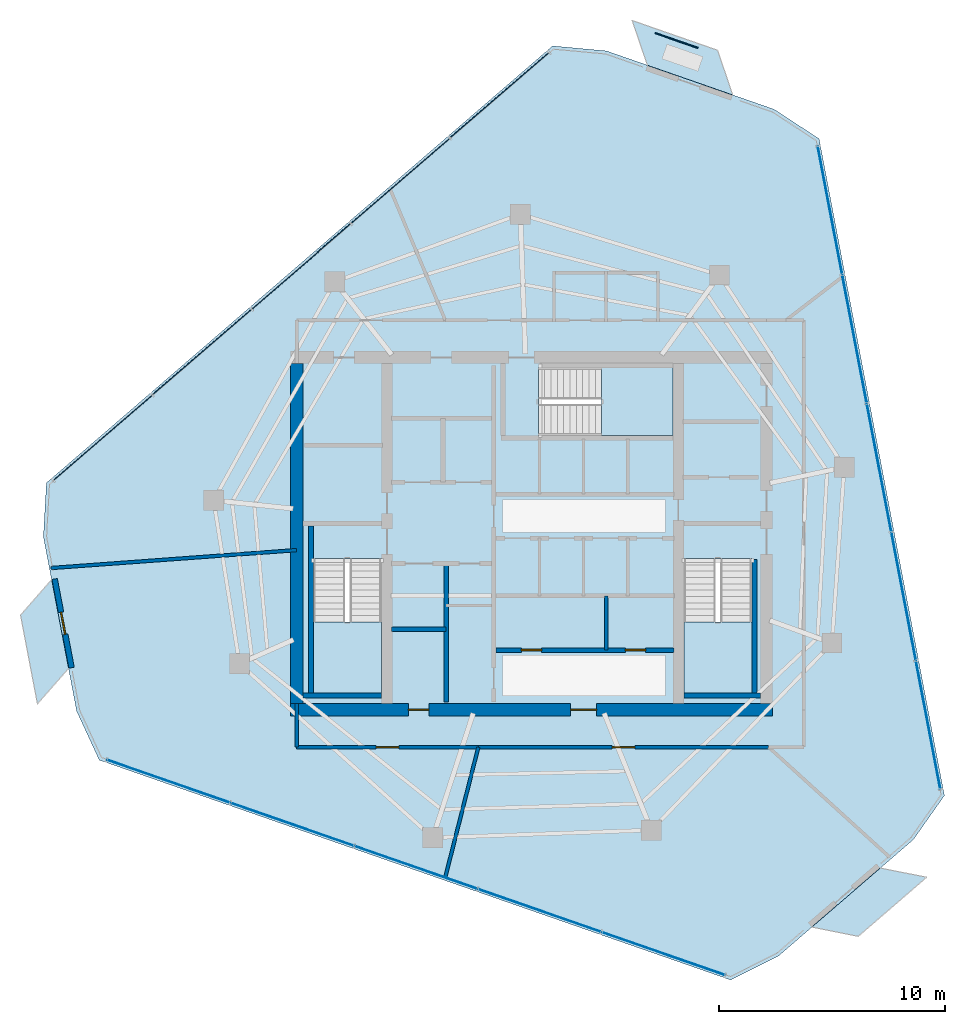
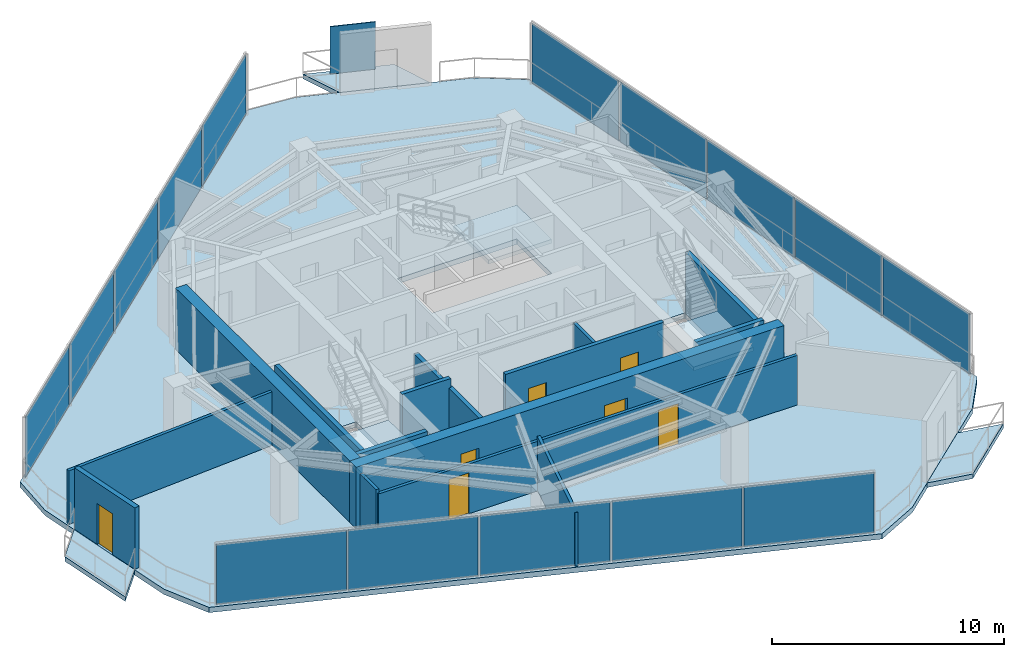
# One storey, part 14 of 18: 16 plates, 16 walls, 7 doors, 7 slabs, 7 openings, 6 elements without a shape of their own.
"""IFC4 building model written with IfcOpenShell, lengths in metres."""

from ifc_helpers import new_model, si_unit, direction, frame, frame_2d, origin, origin_2d, place, context, subcontext, project, spatial, polyline, rectangle, outline, extrude, material, layer, layer_set, type_object, element, fill, aggregate, save


model = new_model("IFC4")

# Units and contexts
model_context = context("Model", 3, precision=1e-05, world=origin(), true_north=direction((0.0, 1.0)))
body_context = subcontext(model_context, "Body", "Model", "MODEL_VIEW")
ifc_project = project(units=[si_unit("LENGTHUNIT", "METRE"), si_unit("AREAUNIT", "SQUARE_METRE"), si_unit("VOLUMEUNIT", "CUBIC_METRE"), si_unit("PLANEANGLEUNIT", "RADIAN"), si_unit("MASSUNIT", "GRAM", prefix="KILO")], contexts=[model_context])

# Site, building, storey
site_placement = place(None, origin())
site = spatial("IfcSite", under=ifc_project, at=site_placement, CompositionType="ELEMENT")
building_placement = place(site_placement, origin())
building = spatial("IfcBuilding", under=site, at=building_placement, Name="Qarnah Convention Tower", CompositionType="ELEMENT")
storey_placement = place(building_placement, frame((0.0, 0.0, 220.199951171875)))
storey = spatial("IfcBuildingStorey", under=building, at=storey_placement, Name="L59", CompositionType="ELEMENT", Elevation=220.199951171875)

# Curtain wall, plates
ifc_material_1 = material(Name="Tempered Low-E dark glass", Category="glass")
ifc_layer_1 = layer(ifc_material_1, 0.174072265625)
ifc_layer_set_1 = layer_set([ifc_layer_1], Name="Tempered Low-E dark glass")
curtain_wall_type = type_object("IfcCurtainWallType", Name="CWS-04", PredefinedType="NOTDEFINED", material=ifc_layer_set_1)
curtain_wall_1_placement = place(storey_placement, origin())
curtain_wall_1 = element("IfcCurtainWall", 1, at=curtain_wall_1_placement, inside=storey, type_object=curtain_wall_type, Name="L59 unitised curtain wall CW-L59-F1", PredefinedType="NOTDEFINED")
ifc_layer_2 = layer(ifc_material_1, 0.033935546875)
ifc_layer_set_2 = layer_set([ifc_layer_2], Name="Tempered Low-E dark glass")
plate_type_1 = type_object("IfcPlateType", Name="PNL-T4", PredefinedType="CURTAIN_PANEL", material=ifc_layer_set_2)
plate_1_placement = place(storey_placement, frame((18.227783203125, 30.648681640625, 0.0400390625), z_axis=(0.0, 0.0, 1.0), x_axis=(0.756975759177, 0.653442958504, 0.0)))
plate_1 = element("IfcPlate", 2, at=plate_1_placement, type_object=plate_type_1, Name="CW-L59-F1 curtain panel 1.1", PredefinedType="CURTAIN_PANEL", context=body_context, shape_type="SweptSolid", body=[
    extrude(rectangle(XDim=5.71923828125, YDim=0.033935546875, at=origin_2d()), origin(), (0.0, 0.0, 1.0), 3.159912109375),
])
plate_2_placement = place(storey_placement, frame((22.61767578125, 34.43798828125, 0.0400390625), z_axis=(0.0, 0.0, 1.0), x_axis=(0.756975759177, 0.653442958504, 0.0)))
plate_2 = element("IfcPlate", 3, at=plate_2_placement, type_object=plate_type_1, Name="CW-L59-F1 curtain panel 2.1", PredefinedType="CURTAIN_PANEL", context=body_context, shape_type="SweptSolid", body=[
    extrude(rectangle(XDim=5.71923828125, YDim=0.033935546875, at=origin_2d()), origin(), (0.0, 0.0, 1.0), 3.159912109375),
])
plate_3_placement = place(storey_placement, frame((27.007568359375, 38.2275390625, 0.0400390625), z_axis=(0.0, 0.0, 1.0), x_axis=(0.756975759177, 0.653442958504, 0.0)))
plate_3 = element("IfcPlate", 4, at=plate_3_placement, type_object=plate_type_1, Name="CW-L59-F1 curtain panel 3.1", PredefinedType="CURTAIN_PANEL", context=body_context, shape_type="SweptSolid", body=[
    extrude(rectangle(XDim=5.71923828125, YDim=0.033935546875, at=origin_2d()), origin(), (0.0, 0.0, 1.0), 3.159912109375),
])
plate_4_placement = place(storey_placement, frame((31.397216796875, 42.016845703125, 0.0400390625), z_axis=(0.0, 0.0, 1.0), x_axis=(0.756975759177, 0.653442958504, 0.0)))
plate_4 = element("IfcPlate", 5, at=plate_4_placement, type_object=plate_type_1, Name="CW-L59-F1 curtain panel 4.1", PredefinedType="CURTAIN_PANEL", context=body_context, shape_type="SweptSolid", body=[
    extrude(rectangle(XDim=5.71923828125, YDim=0.033935546875, at=origin_2d()), origin(), (0.0, 0.0, 1.0), 3.159912109375),
])
plate_5_placement = place(storey_placement, frame((35.787109375, 45.806396484375, 0.0400390625), z_axis=(0.0, 0.0, 1.0), x_axis=(0.756975759177, 0.653442958504, 0.0)))
plate_5 = element("IfcPlate", 6, at=plate_5_placement, type_object=plate_type_1, Name="CW-L59-F1 curtain panel 5.1", PredefinedType="CURTAIN_PANEL", context=body_context, shape_type="SweptSolid", body=[
    extrude(rectangle(XDim=5.71923828125, YDim=0.033935546875, at=origin_2d()), origin(), (0.0, 0.0, 1.0), 3.159912109375),
])
aggregate(curtain_wall_1, [plate_1, plate_2, plate_3, plate_4, plate_5])

curtain_wall_2_placement = place(storey_placement, origin())
curtain_wall_2 = element("IfcCurtainWall", 7, at=curtain_wall_2_placement, inside=storey, type_object=curtain_wall_type, Name="L59 unitised curtain wall CW-L59-F2", PredefinedType="NOTDEFINED")
plate_6_placement = place(storey_placement, frame((43.03466796875, 7.810546875, 0.0400390625), z_axis=(0.0, 0.0, 1.0), x_axis=(-0.944373902094, 0.328873734194, 0.0)))
plate_6 = element("IfcPlate", 8, at=plate_6_placement, type_object=plate_type_1, Name="CW-L59-F2 curtain panel 1.1", PredefinedType="CURTAIN_PANEL", context=body_context, shape_type="SweptSolid", body=[
    extrude(rectangle(XDim=5.71923828125, YDim=0.033935546875, at=origin_2d()), origin(), (0.0, 0.0, 1.0), 3.159912109375),
])
plate_7_placement = place(storey_placement, frame((37.55810546875, 9.7177734375, 0.0400390625), z_axis=(0.0, 0.0, 1.0), x_axis=(-0.944373902094, 0.328873734194, 0.0)))
plate_7 = element("IfcPlate", 9, at=plate_7_placement, type_object=plate_type_1, Name="CW-L59-F2 curtain panel 2.1", PredefinedType="CURTAIN_PANEL", context=body_context, shape_type="SweptSolid", body=[
    extrude(rectangle(XDim=5.71923828125, YDim=0.033935546875, at=origin_2d()), origin(), (0.0, 0.0, 1.0), 3.159912109375),
])
plate_8_placement = place(storey_placement, frame((32.08154296875, 11.625, 0.0400390625), z_axis=(0.0, 0.0, 1.0), x_axis=(-0.944373902094, 0.328873734194, 0.0)))
plate_8 = element("IfcPlate", 10, at=plate_8_placement, type_object=plate_type_1, Name="CW-L59-F2 curtain panel 3.1", PredefinedType="CURTAIN_PANEL", context=body_context, shape_type="SweptSolid", body=[
    extrude(rectangle(XDim=5.71923828125, YDim=0.033935546875, at=origin_2d()), origin(), (0.0, 0.0, 1.0), 3.159912109375),
])
plate_9_placement = place(storey_placement, frame((26.60498046875, 13.5322265625, 0.0400390625), z_axis=(0.0, 0.0, 1.0), x_axis=(-0.944373902094, 0.328873734194, 0.0)))
plate_9 = element("IfcPlate", 11, at=plate_9_placement, type_object=plate_type_1, Name="CW-L59-F2 curtain panel 4.1", PredefinedType="CURTAIN_PANEL", context=body_context, shape_type="SweptSolid", body=[
    extrude(rectangle(XDim=5.71923828125, YDim=0.033935546875, at=origin_2d()), origin(), (0.0, 0.0, 1.0), 3.159912109375),
])
plate_10_placement = place(storey_placement, frame((21.12841796875, 15.439453125, 0.0400390625), z_axis=(0.0, 0.0, 1.0), x_axis=(-0.944373902094, 0.328873734194, 0.0)))
plate_10 = element("IfcPlate", 12, at=plate_10_placement, type_object=plate_type_1, Name="CW-L59-F2 curtain panel 5.1", PredefinedType="CURTAIN_PANEL", context=body_context, shape_type="SweptSolid", body=[
    extrude(rectangle(XDim=5.71923828125, YDim=0.033935546875, at=origin_2d()), origin(), (0.0, 0.0, 1.0), 3.159912109375),
])
aggregate(curtain_wall_2, [plate_6, plate_7, plate_8, plate_9, plate_10])

curtain_wall_3_placement = place(storey_placement, origin())
curtain_wall_3 = element("IfcCurtainWall", 13, at=curtain_wall_3_placement, inside=storey, type_object=curtain_wall_type, Name="L59 unitised curtain wall CW-L59-F3", PredefinedType="NOTDEFINED")
plate_11_placement = place(storey_placement, frame((50.409423828125, 40.7138671875, 0.0400390625), z_axis=(0.0, 0.0, 1.0), x_axis=(0.187406876445, -0.982282374199, 0.0)))
plate_11 = element("IfcPlate", 14, at=plate_11_placement, type_object=plate_type_1, Name="CW-L59-F3 curtain panel 1.1", PredefinedType="CURTAIN_PANEL", context=body_context, shape_type="SweptSolid", body=[
    extrude(rectangle(XDim=5.71923828125, YDim=0.033935546875, at=origin_2d()), origin(), (0.0, 0.0, 1.0), 3.159912109375),
])
plate_12_placement = place(storey_placement, frame((51.49609375, 35.017333984375, 0.0400390625), z_axis=(0.0, 0.0, 1.0), x_axis=(0.187406876445, -0.982282374199, 0.0)))
plate_12 = element("IfcPlate", 15, at=plate_12_placement, type_object=plate_type_1, Name="CW-L59-F3 curtain panel 2.1", PredefinedType="CURTAIN_PANEL", context=body_context, shape_type="SweptSolid", body=[
    extrude(rectangle(XDim=5.71923828125, YDim=0.033935546875, at=origin_2d()), origin(), (0.0, 0.0, 1.0), 3.159912109375),
])
plate_13_placement = place(storey_placement, frame((52.5830078125, 29.321044921875, 0.0400390625), z_axis=(0.0, 0.0, 1.0), x_axis=(0.187406876445, -0.982282374199, 0.0)))
plate_13 = element("IfcPlate", 16, at=plate_13_placement, type_object=plate_type_1, Name="CW-L59-F3 curtain panel 3.1", PredefinedType="CURTAIN_PANEL", context=body_context, shape_type="SweptSolid", body=[
    extrude(rectangle(XDim=5.71923828125, YDim=0.033935546875, at=origin_2d()), origin(), (0.0, 0.0, 1.0), 3.159912109375),
])
plate_14_placement = place(storey_placement, frame((53.669921875, 23.62451171875, 0.0400390625), z_axis=(0.0, 0.0, 1.0), x_axis=(0.187406876445, -0.982282374199, 0.0)))
plate_14 = element("IfcPlate", 17, at=plate_14_placement, type_object=plate_type_1, Name="CW-L59-F3 curtain panel 4.1", PredefinedType="CURTAIN_PANEL", context=body_context, shape_type="SweptSolid", body=[
    extrude(rectangle(XDim=5.71923828125, YDim=0.033935546875, at=origin_2d()), origin(), (0.0, 0.0, 1.0), 3.159912109375),
])
plate_15_placement = place(storey_placement, frame((54.756591796875, 17.92822265625, 0.0400390625), z_axis=(0.0, 0.0, 1.0), x_axis=(0.187406876445, -0.982282374199, 0.0)))
plate_15 = element("IfcPlate", 18, at=plate_15_placement, type_object=plate_type_1, Name="CW-L59-F3 curtain panel 5.1", PredefinedType="CURTAIN_PANEL", context=body_context, shape_type="SweptSolid", body=[
    extrude(rectangle(XDim=5.71923828125, YDim=0.033935546875, at=origin_2d()), origin(), (0.0, 0.0, 1.0), 3.159912109375),
])
aggregate(curtain_wall_3, [plate_11, plate_12, plate_13, plate_14, plate_15])

# Plate
ifc_material_2 = material(Name="Black anodised aluminium", Category="aluminium")
ifc_layer_3 = layer(ifc_material_2, 0.044921875)
ifc_layer_set_3 = layer_set([ifc_layer_3], Name="Black anodised aluminium")
plate_type_2 = type_object("IfcPlateType", Name="SCR-BAL-18", PredefinedType="USERDEFINED", material=ifc_layer_set_3)
plate_16_placement = place(storey_placement, frame((43.6201171875, 48.22900390625, 0.0), z_axis=(0.0, 0.0, 1.0), x_axis=(0.944348241736, -0.328947409673, 0.0)))
element("IfcPlate", 19, at=plate_16_placement, inside=storey, type_object=plate_type_2, Name="L59 perforated desert solar screen BAL-L59-C1", ObjectType="SCREEN", PredefinedType="USERDEFINED", context=body_context, shape_type="SweptSolid", body=[
    extrude(rectangle(XDim=2.0, YDim=0.044921875, at=origin_2d()), origin(), (0.0, 0.0, 1.0), 2.5),
])

# Slabs
ifc_material_3 = material(Name="Concrete C45/55", Category="concrete")
ifc_layer_4 = layer(ifc_material_3, 0.239990234375)
ifc_layer_set_4 = layer_set([ifc_layer_4], Name="Concrete C45/55")
slab_type_1 = type_object("IfcSlabType", Name="SLB-BAL-240", PredefinedType="USERDEFINED", material=ifc_layer_set_4)
slab_1_placement = place(storey_placement, frame((0.0, 0.0, -0.239990234375)))
element("IfcSlab", 20, at=slab_1_placement, inside=storey, type_object=slab_type_1, Name="L59 cantilevered balcony slab BAL-L59-C1", ObjectType="BALCONY", PredefinedType="USERDEFINED", context=body_context, shape_type="SweptSolid", body=[
    extrude(outline(polyline([(41.654052734375, 49.114013671875), (45.431884765625, 47.798095703125), (46.10595703125, 45.81689453125), (42.3291015625, 47.132080078125), (41.654052734375, 49.114013671875)])), origin(), (0.0, 0.0, 1.0), 0.239990234375),
])
slab_2_placement = place(storey_placement, frame((0.0, 0.0, -0.239990234375)))
element("IfcSlab", 21, at=slab_2_placement, inside=storey, type_object=slab_type_1, Name="L59 cantilevered balcony slab BAL-L59-C2", ObjectType="BALCONY", PredefinedType="USERDEFINED", context=body_context, shape_type="SweptSolid", body=[
    extrude(outline(polyline([(15.330078125, 18.865966796875), (14.5810546875, 22.794921875), (15.958984375, 24.3701171875), (16.7080078125, 20.43994140625), (15.330078125, 18.865966796875)])), origin(), (0.0, 0.0, 1.0), 0.239990234375),
])
slab_3_placement = place(storey_placement, frame((0.0, 0.0, -0.239990234375)))
element("IfcSlab", 22, at=slab_3_placement, inside=storey, type_object=slab_type_1, Name="L59 cantilevered balcony slab BAL-L59-C3", ObjectType="BALCONY", PredefinedType="USERDEFINED", context=body_context, shape_type="SweptSolid", body=[
    extrude(outline(polyline([(54.68798828125, 11.193115234375), (51.659912109375, 8.5791015625), (49.60595703125, 8.986083984375), (52.635009765625, 11.60009765625), (54.68798828125, 11.193115234375)])), origin(), (0.0, 0.0, 1.0), 0.239990234375),
])

# Stair, slab
ifc_material_4 = material(Name="Concrete C50/60", Category="concrete")
stair_type = type_object("IfcStairType", Name="STR-OFF", PredefinedType="HALF_TURN_STAIR", material=ifc_material_4)
stair_1_placement = place(storey_placement, origin())
stair_1 = element("IfcStair", 23, at=stair_1_placement, inside=storey, type_object=stair_type, Name="L59 Core exit stair ST-1", PredefinedType="HALF_TURN_STAIR")
ifc_layer_5 = layer(ifc_material_4, 0.199951171875)
ifc_layer_set_5 = layer_set([ifc_layer_5], Name="Concrete C50/60")
slab_type_2 = type_object("IfcSlabType", Name="SLB-LANDING-200", PredefinedType="LANDING", material=ifc_layer_set_5)
slab_4_placement = place(storey_placement, frame((0.0, 0.0, 1.60009765625)))
slab_4 = element("IfcSlab", 24, at=slab_4_placement, type_object=slab_type_2, Name="ST-1 landing 1", PredefinedType="LANDING", context=body_context, shape_type="SweptSolid", body=[
    extrude(outline(polyline([(27.550048828125, 22.5), (27.550048828125, 19.35009765625), (30.550048828125, 19.35009765625), (30.550048828125, 22.5), (27.550048828125, 22.5)])), origin(), (0.0, 0.0, 1.0), 0.199951171875),
])
aggregate(stair_1, [slab_4])

stair_2_placement = place(storey_placement, origin())
stair_2 = element("IfcStair", 25, at=stair_2_placement, inside=storey, type_object=stair_type, Name="L59 Core exit stair ST-2", PredefinedType="HALF_TURN_STAIR")
slab_5_placement = place(storey_placement, frame((0.0, 0.0, 1.60009765625)))
slab_5 = element("IfcSlab", 26, at=slab_5_placement, type_object=slab_type_2, Name="ST-2 landing 1", PredefinedType="LANDING", context=body_context, shape_type="SweptSolid", body=[
    extrude(outline(polyline([(43.949951171875, 22.5), (43.949951171875, 19.35009765625), (46.949951171875, 19.35009765625), (46.949951171875, 22.5), (43.949951171875, 22.5)])), origin(), (0.0, 0.0, 1.0), 0.199951171875),
])
aggregate(stair_2, [slab_5])

stair_3_placement = place(storey_placement, origin())
stair_3 = element("IfcStair", 27, at=stair_3_placement, inside=storey, type_object=stair_type, Name="L59 Core exit stair ST-3", PredefinedType="HALF_TURN_STAIR")
slab_6_placement = place(storey_placement, frame((0.0, 0.0, 1.60009765625)))
slab_6 = element("IfcSlab", 28, at=slab_6_placement, type_object=slab_type_2, Name="ST-3 landing 1", PredefinedType="LANDING", context=body_context, shape_type="SweptSolid", body=[
    extrude(outline(polyline([(40.300048828125, 30.75), (43.449951171875, 30.75), (43.449951171875, 33.75), (40.300048828125, 33.75), (40.300048828125, 30.75)])), origin(), (0.0, 0.0, 1.0), 0.199951171875),
])
aggregate(stair_3, [slab_6])

# Slab
ifc_layer_6 = layer(ifc_material_3, 0.280029296875)
ifc_layer_set_6 = layer_set([ifc_layer_6], Name="Concrete C45/55")
slab_type_3 = type_object("IfcSlabType", Name="SLB-TWR-280", PredefinedType="FLOOR", material=ifc_layer_set_6)
slab_7_placement = place(storey_placement, frame((0.0, 0.0, -0.280029296875)))
element("IfcSlab", 29, at=slab_7_placement, inside=storey, type_object=slab_type_3, Name="L59 structural floor slab", PredefinedType="FLOOR", context=body_context, shape_type="SweptSolid", body=[
    extrude(outline(polyline([(38.131103515625, 47.988037109375), (15.72705078125, 28.64892578125), (15.593017578125, 26.26611328125), (17.06591796875, 18.5439453125), (18.06689453125, 16.3779296875), (46.01708984375, 6.64501953125), (48.14697265625, 7.720947265625), (54.097900390625, 12.85693359375), (55.47412109375, 14.80810546875), (49.927978515625, 43.87890625), (47.930908203125, 45.18603515625), (40.507080078125, 47.77099609375), (38.131103515625, 47.988037109375)]), holes=[polyline([(27.550048828125, 25.300048828125), (27.550048828125, 19.35009765625), (30.550048828125, 19.35009765625), (30.550048828125, 25.300048828125), (27.550048828125, 25.300048828125)]), polyline([(43.949951171875, 25.300048828125), (43.949951171875, 19.35009765625), (46.949951171875, 19.35009765625), (46.949951171875, 25.300048828125), (43.949951171875, 25.300048828125)]), polyline([(37.5, 30.75), (43.449951171875, 30.75), (43.449951171875, 33.75), (37.5, 33.75), (37.5, 30.75)])]), origin(), (0.0, 0.0, 1.0), 0.280029296875),
])

# Wall, openings, doors
ifc_material_5 = material(Name="Concrete C60/75", Category="concrete")
ifc_layer_7 = layer(ifc_material_5, 0.550048828125)
ifc_layer_set_7 = layer_set([ifc_layer_7], Name="Concrete C60/75")
wall_type_1 = type_object("IfcWallType", Name="WL-CORE-550", PredefinedType="SHEAR", material=ifc_layer_set_7)
wall_1_placement = place(storey_placement, frame((26.52490234375, 18.60009765625, 0.0), z_axis=(0.0, 0.0, 1.0), x_axis=(1.0, 0.0, 0.0)))
wall_1 = element("IfcWall", 30, at=wall_1_placement, inside=storey, type_object=wall_type_1, Name="L59 core south shear wall", PredefinedType="SHEAR", context=body_context, shape_type="SweptSolid", body=[
    extrude(rectangle(XDim=21.35009765625, YDim=0.550048828125, at=frame_2d((10.675048828125, 0.0))), origin(), (0.0, 0.0, 1.0), 3.239990234375),
])
opening_1_placement = place(wall_1_placement, frame((12.39990234375, 0.0, 0.0)))
opening_1 = element("IfcOpeningElement", 31, at=opening_1_placement, cuts=wall_1, Name="Opening D-5907", PredefinedType="OPENING", context=body_context, shape_type="SweptSolid", body=[
    extrude(rectangle(XDim=1.14990234375, YDim=2.14990234375, at=frame_2d((0.574951171875, 1.074951171875))), frame((0.0, 0.284912109375, 0.0), z_axis=(0.0, -1.0, 0.0), x_axis=(1.0, 0.0, 0.0)), (0.0, 0.0, 1.0), 0.570068359375),
])
opening_2_placement = place(wall_1_placement, frame((5.22509765625, 0.0, 0.0)))
opening_2 = element("IfcOpeningElement", 32, at=opening_2_placement, cuts=wall_1, Name="Opening D-5913", PredefinedType="OPENING", context=body_context, shape_type="SweptSolid", body=[
    extrude(rectangle(XDim=0.89990234375, YDim=2.10009765625, at=frame_2d((0.449951171875, 1.050048828125))), frame((0.0, 0.284912109375, 0.0), z_axis=(0.0, -1.0, 0.0), x_axis=(1.0, 0.0, 0.0)), (0.0, 0.0, 1.0), 0.570068359375),
])
ifc_material_6 = material(Name="Structural steel S355JR", Category="steel")
door_type_1 = type_object("IfcDoorType", Name="DT-LOBBY-1150", OperationType="NOTDEFINED", PredefinedType="DOOR", material=ifc_material_6)
door_1_placement = place(opening_1_placement, origin())
door_1 = element("IfcDoor", 33, at=door_1_placement, inside=storey, type_object=door_type_1, Name="Door D-5907", OperationType="SINGLE_SWING_LEFT", OverallHeight=2.14990234375, OverallWidth=1.14990234375, PredefinedType="DOOR", context=body_context, shape_type="SweptSolid", body=[
    extrude(rectangle(XDim=1.14990234375, YDim=2.14990234375, at=frame_2d((0.574951171875, 1.074951171875))), frame((0.0, 0.02490234375, 0.0), z_axis=(0.0, -1.0, 0.0), x_axis=(1.0, 0.0, 0.0)), (0.0, 0.0, 1.0), 0.050048828125),
])
fill(opening_1, door_1)
door_type_2 = type_object("IfcDoorType", Name="DT-RISER-900", OperationType="NOTDEFINED", PredefinedType="DOOR", material=ifc_material_6)
door_2_placement = place(opening_2_placement, origin())
door_2 = element("IfcDoor", 34, at=door_2_placement, inside=storey, type_object=door_type_2, Name="Door D-5913", OperationType="SINGLE_SWING_LEFT", OverallHeight=2.10009765625, OverallWidth=0.89990234375, PredefinedType="DOOR", context=body_context, shape_type="SweptSolid", body=[
    extrude(rectangle(XDim=0.89990234375, YDim=2.10009765625, at=frame_2d((0.449951171875, 1.050048828125))), frame((0.0, 0.02490234375, 0.0), z_axis=(0.0, -1.0, 0.0), x_axis=(1.0, 0.0, 0.0)), (0.0, 0.0, 1.0), 0.050048828125),
])
fill(opening_2, door_2)

# Walls
wall_2_placement = place(storey_placement, frame((26.800048828125, 18.875, 0.0), z_axis=(0.0, 0.0, 1.0), x_axis=(0.0, 1.0, 0.0)))
element("IfcWall", 35, at=wall_2_placement, inside=storey, type_object=wall_type_1, Name="L59 core west shear wall", PredefinedType="SHEAR", context=body_context, shape_type="SweptSolid", body=[
    extrude(rectangle(XDim=15.050048828125, YDim=0.550048828125, at=frame_2d((7.52490234375, 0.0))), origin(), (0.0, 0.0, 1.0), 3.239990234375),
])
ifc_layer_8 = layer(ifc_material_3, 0.199951171875)
ifc_layer_set_8 = layer_set([ifc_layer_8], Name="Concrete C45/55")
wall_type_2 = type_object("IfcWallType", Name="WL-CORE-PART-200", PredefinedType="SOLIDWALL", material=ifc_layer_set_8)
wall_3_placement = place(storey_placement, frame((33.419921875, 18.949951171875, 0.0), z_axis=(0.0, 0.0, 1.0), x_axis=(0.0, 1.0, 0.0)))
element("IfcWall", 36, at=wall_3_placement, inside=storey, type_object=wall_type_2, Name="L59 interior wall IW-L59-SVLE", PredefinedType="SOLIDWALL", context=body_context, shape_type="SweptSolid", body=[
    extrude(rectangle(XDim=6.130126953125, YDim=0.199951171875, at=frame_2d((3.06494140625, 0.0))), origin(), (0.0, 0.0, 1.0), 2.760986328125),
])
wall_4_placement = place(storey_placement, frame((31.0, 22.179931640625, 0.0), z_axis=(0.0, 0.0, 1.0), x_axis=(1.0, 0.0, 0.0)))
element("IfcWall", 37, at=wall_4_placement, inside=storey, type_object=wall_type_2, Name="L59 interior wall IW-L59-SVLS", PredefinedType="SOLIDWALL", context=body_context, shape_type="SweptSolid", body=[
    extrude(rectangle(XDim=2.419921875, YDim=0.199951171875, at=frame_2d((1.2099609375, 0.0))), origin(), (0.0, 0.0, 1.0), 3.239990234375),
])

# Wall, openings, doors
wall_5_placement = place(storey_placement, frame((35.6201171875, 21.25, 0.0), z_axis=(0.0, 0.0, 1.0), x_axis=(1.0, 0.0, 0.0)))
wall_5 = element("IfcWall", 38, at=wall_5_placement, inside=storey, type_object=wall_type_2, Name="L59 interior wall IW-L59-PLS", PredefinedType="SOLIDWALL", context=body_context, shape_type="SweptSolid", body=[
    extrude(rectangle(XDim=7.8798828125, YDim=0.199951171875, at=frame_2d((3.93994140625, 0.0))), origin(), (0.0, 0.0, 1.0), 3.239990234375),
])
opening_3_placement = place(wall_5_placement, frame((1.1298828125, 0.0, 0.0)))
opening_3 = element("IfcOpeningElement", 39, at=opening_3_placement, cuts=wall_5, Name="Opening D-5916", PredefinedType="OPENING", context=body_context, shape_type="SweptSolid", body=[
    extrude(rectangle(XDim=0.89990234375, YDim=2.10009765625, at=frame_2d((0.449951171875, 1.050048828125))), frame((0.0, 0.10986328125, 0.0), z_axis=(0.0, -1.0, 0.0), x_axis=(1.0, 0.0, 0.0)), (0.0, 0.0, 1.0), 0.219970703125),
])
opening_4_placement = place(wall_5_placement, frame((5.72998046875, 0.0, 0.0)))
opening_4 = element("IfcOpeningElement", 40, at=opening_4_placement, cuts=wall_5, Name="Opening D-5917", PredefinedType="OPENING", context=body_context, shape_type="SweptSolid", body=[
    extrude(rectangle(XDim=0.89990234375, YDim=2.10009765625, at=frame_2d((0.449951171875, 1.050048828125))), frame((0.0, 0.10986328125, 0.0), z_axis=(0.0, -1.0, 0.0), x_axis=(1.0, 0.0, 0.0)), (0.0, 0.0, 1.0), 0.219970703125),
])
door_3_placement = place(opening_3_placement, origin())
door_3 = element("IfcDoor", 41, at=door_3_placement, inside=storey, type_object=door_type_2, Name="Door D-5916", OperationType="SINGLE_SWING_RIGHT", OverallHeight=2.10009765625, OverallWidth=0.89990234375, PredefinedType="DOOR", context=body_context, shape_type="SweptSolid", body=[
    extrude(rectangle(XDim=0.89990234375, YDim=2.10009765625, at=frame_2d((0.449951171875, 1.050048828125))), frame((0.0, 0.02490234375, 0.0), z_axis=(0.0, -1.0, 0.0), x_axis=(1.0, 0.0, 0.0)), (0.0, 0.0, 1.0), 0.050048828125),
])
fill(opening_3, door_3)
door_4_placement = place(opening_4_placement, origin())
door_4 = element("IfcDoor", 42, at=door_4_placement, inside=storey, type_object=door_type_2, Name="Door D-5917", OperationType="SINGLE_SWING_LEFT", OverallHeight=2.10009765625, OverallWidth=0.89990234375, PredefinedType="DOOR", context=body_context, shape_type="SweptSolid", body=[
    extrude(rectangle(XDim=0.89990234375, YDim=2.10009765625, at=frame_2d((0.449951171875, 1.050048828125))), frame((0.0, 0.02490234375, 0.0), z_axis=(0.0, -1.0, 0.0), x_axis=(1.0, 0.0, 0.0)), (0.0, 0.0, 1.0), 0.050048828125),
])
fill(opening_4, door_4)

# Walls
ifc_layer_9 = layer(ifc_material_5, 0.219970703125)
ifc_layer_set_9 = layer_set([ifc_layer_9], Name="Concrete C60/75")
wall_type_3 = type_object("IfcWallType", Name="WL-CORE-STAIR-220", PredefinedType="SHEAR", material=ifc_layer_set_9)
wall_6_placement = place(storey_placement, frame((27.43994140625, 19.35009765625, 0.0), z_axis=(0.0, 0.0, 1.0), x_axis=(0.0, 1.0, 0.0)))
element("IfcWall", 43, at=wall_6_placement, inside=storey, type_object=wall_type_3, Name="L59 stair shaft shear wall SW-L59-ST1W", PredefinedType="SHEAR", context=body_context, shape_type="SweptSolid", body=[
    extrude(rectangle(XDim=7.39990234375, YDim=0.219970703125, at=frame_2d((3.699951171875, 0.0))), origin(), (0.0, 0.0, 1.0), 3.239990234375),
])
wall_7_placement = place(storey_placement, frame((27.074951171875, 19.239990234375, 0.0), z_axis=(0.0, 0.0, 1.0), x_axis=(1.0, 0.0, 0.0)))
element("IfcWall", 44, at=wall_7_placement, inside=storey, type_object=wall_type_3, Name="L59 stair shaft shear wall SW-L59-ST1S", PredefinedType="SHEAR", context=body_context, shape_type="SweptSolid", body=[
    extrude(rectangle(XDim=3.47509765625, YDim=0.219970703125, at=frame_2d((1.737548828125, 0.0))), origin(), (0.0, 0.0, 1.0), 3.239990234375),
])
wall_8_placement = place(storey_placement, frame((47.06005859375, 19.35009765625, 0.0), z_axis=(0.0, 0.0, 1.0), x_axis=(0.0, 1.0, 0.0)))
element("IfcWall", 45, at=wall_8_placement, inside=storey, type_object=wall_type_3, Name="L59 stair shaft shear wall SW-L59-ST2E", PredefinedType="SHEAR", context=body_context, shape_type="SweptSolid", body=[
    extrude(rectangle(XDim=5.89990234375, YDim=0.219970703125, at=frame_2d((2.949951171875, 0.0))), origin(), (0.0, 0.0, 1.0), 3.239990234375),
])
wall_9_placement = place(storey_placement, frame((43.949951171875, 19.239990234375, 0.0), z_axis=(0.0, 0.0, 1.0), x_axis=(1.0, 0.0, 0.0)))
element("IfcWall", 46, at=wall_9_placement, inside=storey, type_object=wall_type_3, Name="L59 stair shaft shear wall SW-L59-ST2S", PredefinedType="SHEAR", context=body_context, shape_type="SweptSolid", body=[
    extrude(rectangle(XDim=3.375, YDim=0.219970703125, at=frame_2d((1.6875, 0.0))), origin(), (0.0, 0.0, 1.0), 3.239990234375),
])

# Wall, opening, door
ifc_material_7 = material(Name="Precast concrete C45/55", Category="concrete")
ifc_layer_10 = layer(ifc_material_7, 0.239990234375)
ifc_layer_set_10 = layer_set([ifc_layer_10], Name="Precast concrete C45/55")
wall_type_4 = type_object("IfcWallType", Name="WL-EXT-BAL-240", PredefinedType="SOLIDWALL", material=ifc_layer_set_10)
wall_10_placement = place(storey_placement, frame((16.842041015625, 20.467041015625, 0.0), z_axis=(0.0, 0.0, 1.0), x_axis=(-0.187269178691, 0.982308635161, 0.0)))
wall_10 = element("IfcWall", 47, at=wall_10_placement, inside=storey, type_object=wall_type_4, Name="L59 loggia threshold wall BAL-L59-C2", PredefinedType="SOLIDWALL", context=body_context, shape_type="SweptSolid", body=[
    extrude(rectangle(XDim=3.999755859375, YDim=0.239990234375, at=frame_2d((2.0, 0.0))), origin(), (0.0, 0.0, 1.0), 3.239990234375),
])
opening_5_placement = place(wall_10_placement, frame((1.5, 0.0, 0.0)))
opening_5 = element("IfcOpeningElement", 48, at=opening_5_placement, cuts=wall_10, Name="Opening BD-5902", PredefinedType="OPENING", context=body_context, shape_type="SweptSolid", body=[
    extrude(rectangle(XDim=1.0, YDim=2.14990234375, at=frame_2d((0.5, 1.074951171875))), frame((0.0, 0.1298828125, 0.0), z_axis=(0.0, -1.0, 0.0), x_axis=(1.0, 0.0, 0.0)), (0.0, 0.0, 1.0), 0.260009765625),
])
door_type_3 = type_object("IfcDoorType", Name="DT-BAL-1000", OperationType="NOTDEFINED", PredefinedType="DOOR", material=ifc_material_2)
door_5_placement = place(opening_5_placement, origin())
door_5 = element("IfcDoor", 49, at=door_5_placement, inside=storey, type_object=door_type_3, Name="L59 balcony terrace door BAL-L59-C2", OperationType="SINGLE_SWING_LEFT", OverallHeight=2.14990234375, OverallWidth=1.0, PredefinedType="DOOR", context=body_context, shape_type="SweptSolid", body=[
    extrude(rectangle(XDim=1.0, YDim=2.14990234375, at=frame_2d((0.5, 1.074951171875))), frame((0.0, 0.02490234375, 0.0), z_axis=(0.0, -1.0, 0.0), x_axis=(1.0, 0.0, 0.0)), (0.0, 0.0, 1.0), 0.050048828125),
])
fill(opening_5, door_5)

# Walls
ifc_material_8 = material(Name="Gypsum partition board")
ifc_layer_11 = layer(ifc_material_8, 0.14990234375)
ifc_layer_set_11 = layer_set([ifc_layer_11], Name="Gypsum partition board")
wall_type_5 = type_object("IfcWallType", Name="WL-SUITE-150", PredefinedType="PARTITIONING", material=ifc_layer_set_11)
wall_11_placement = place(storey_placement, frame((40.5, 21.25, 0.0), z_axis=(0.0, 0.0, 1.0), x_axis=(0.0, 1.0, 0.0)))
element("IfcWall", 50, at=wall_11_placement, inside=storey, type_object=wall_type_5, Name="L59 interior wall IW-L59-PLFD", PredefinedType="PARTITIONING", context=body_context, shape_type="SweptSolid", body=[
    extrude(rectangle(XDim=2.39990234375, YDim=0.14990234375, at=frame_2d((1.199951171875, 0.0))), origin(), (0.0, 0.0, 1.0), 2.760986328125),
])
wall_12_placement = place(storey_placement, frame((15.93798828125, 24.8798828125, 0.0), z_axis=(0.0, 0.0, 1.0), x_axis=(0.997344218628, 0.072832064155, 0.0)))
element("IfcWall", 51, at=wall_12_placement, inside=storey, type_object=wall_type_5, Name="L59 interior wall IW-L59-R-13", PredefinedType="PARTITIONING", context=body_context, shape_type="SweptSolid", body=[
    extrude(rectangle(XDim=10.890869140625, YDim=0.14990234375, at=frame_2d((5.4453125, 0.0))), origin(), (0.0, 0.0, 1.0), 2.824951171875),
])
wall_13_placement = place(storey_placement, frame((33.366943359375, 11.134033203125, 0.0), z_axis=(0.0, 0.0, 1.0), x_axis=(0.246152632785, 0.969231077387, 0.0)))
element("IfcWall", 52, at=wall_13_placement, inside=storey, type_object=wall_type_5, Name="L59 interior wall IW-L59-R-16", PredefinedType="PARTITIONING", context=body_context, shape_type="SweptSolid", body=[
    extrude(rectangle(XDim=6.00048828125, YDim=0.14990234375, at=frame_2d((3.000244140625, 0.0))), origin(), (0.0, 0.0, 1.0), 2.824951171875),
])

# Wall, opening, door
wall_14_placement = place(storey_placement, frame((34.843994140625, 16.949951171875, 0.0), z_axis=(0.0, 0.0, 1.0), x_axis=(-1.0, 0.0, 0.0)))
wall_14 = element("IfcWall", 53, at=wall_14_placement, inside=storey, type_object=wall_type_5, Name="L59 interior wall IW-L59-R-17", PredefinedType="PARTITIONING", context=body_context, shape_type="SweptSolid", body=[
    extrude(rectangle(XDim=8.0439453125, YDim=0.14990234375, at=frame_2d((4.02197265625, 0.0))), origin(), (0.0, 0.0, 1.0), 2.616943359375),
])
opening_6_placement = place(wall_14_placement, frame((3.52197265625, 0.0, 0.0)))
opening_6 = element("IfcOpeningElement", 54, at=opening_6_placement, cuts=wall_14, Name="Opening D-5922", PredefinedType="OPENING", context=body_context, shape_type="SweptSolid", body=[
    extrude(rectangle(XDim=1.0, YDim=2.14990234375, at=frame_2d((0.5, 1.074951171875))), frame((0.0, 0.0849609375, 0.0), z_axis=(0.0, -1.0, 0.0), x_axis=(1.0, 0.0, 0.0)), (0.0, 0.0, 1.0), 0.169921875),
])
ifc_material_9 = material(Name="Oak timber veneer", Category="wood")
door_type_4 = type_object("IfcDoorType", Name="DT-OFFICE-1000", OperationType="NOTDEFINED", PredefinedType="DOOR", material=ifc_material_9)
door_6_placement = place(opening_6_placement, origin())
door_6 = element("IfcDoor", 55, at=door_6_placement, inside=storey, type_object=door_type_4, Name="Door D-5922", OperationType="SINGLE_SWING_RIGHT", OverallHeight=2.14990234375, OverallWidth=1.0, PredefinedType="DOOR", context=body_context, shape_type="SweptSolid", body=[
    extrude(rectangle(XDim=1.0, YDim=2.14990234375, at=frame_2d((0.5, 1.074951171875))), frame((0.0, 0.02490234375, 0.0), z_axis=(0.0, -1.0, 0.0), x_axis=(1.0, 0.0, 0.0)), (0.0, 0.0, 1.0), 0.050048828125),
])
fill(opening_6, door_6)

# Wall
wall_15_placement = place(storey_placement, frame((26.800048828125, 16.949951171875, 0.0), z_axis=(0.0, 0.0, 1.0), x_axis=(0.0, 1.0, 0.0)))
element("IfcWall", 56, at=wall_15_placement, inside=storey, type_object=wall_type_5, Name="L59 interior wall IW-L59-R-18", PredefinedType="PARTITIONING", context=body_context, shape_type="SweptSolid", body=[
    extrude(rectangle(XDim=1.925048828125, YDim=0.14990234375, at=frame_2d((0.96240234375, 0.0))), origin(), (0.0, 0.0, 1.0), 2.824951171875),
])

# Wall, opening, door
wall_16_placement = place(storey_placement, frame((47.695068359375, 16.949951171875, 0.0), z_axis=(0.0, 0.0, 1.0), x_axis=(-1.0, 0.0, 0.0)))
wall_16 = element("IfcWall", 57, at=wall_16_placement, inside=storey, type_object=wall_type_5, Name="L59 interior wall IW-L59-R-20", PredefinedType="PARTITIONING", context=body_context, shape_type="SweptSolid", body=[
    extrude(rectangle(XDim=12.85107421875, YDim=0.14990234375, at=frame_2d((6.425537109375, 0.0))), origin(), (0.0, 0.0, 1.0), 2.616943359375),
])
opening_7_placement = place(wall_16_placement, frame((5.926025390625, 0.0, 0.0)))
opening_7 = element("IfcOpeningElement", 58, at=opening_7_placement, cuts=wall_16, Name="Opening D-5923", PredefinedType="OPENING", context=body_context, shape_type="SweptSolid", body=[
    extrude(rectangle(XDim=1.0, YDim=2.14990234375, at=frame_2d((0.5, 1.074951171875))), frame((0.0, 0.0849609375, 0.0), z_axis=(0.0, -1.0, 0.0), x_axis=(1.0, 0.0, 0.0)), (0.0, 0.0, 1.0), 0.169921875),
])
door_7_placement = place(opening_7_placement, origin())
door_7 = element("IfcDoor", 59, at=door_7_placement, inside=storey, type_object=door_type_4, Name="Door D-5923", OperationType="SINGLE_SWING_LEFT", OverallHeight=2.14990234375, OverallWidth=1.0, PredefinedType="DOOR", context=body_context, shape_type="SweptSolid", body=[
    extrude(rectangle(XDim=1.0, YDim=2.14990234375, at=frame_2d((0.5, 1.074951171875))), frame((0.0, 0.02490234375, 0.0), z_axis=(0.0, -1.0, 0.0), x_axis=(1.0, 0.0, 0.0)), (0.0, 0.0, 1.0), 0.050048828125),
])
fill(opening_7, door_7)

save(model, "model.ifc")
